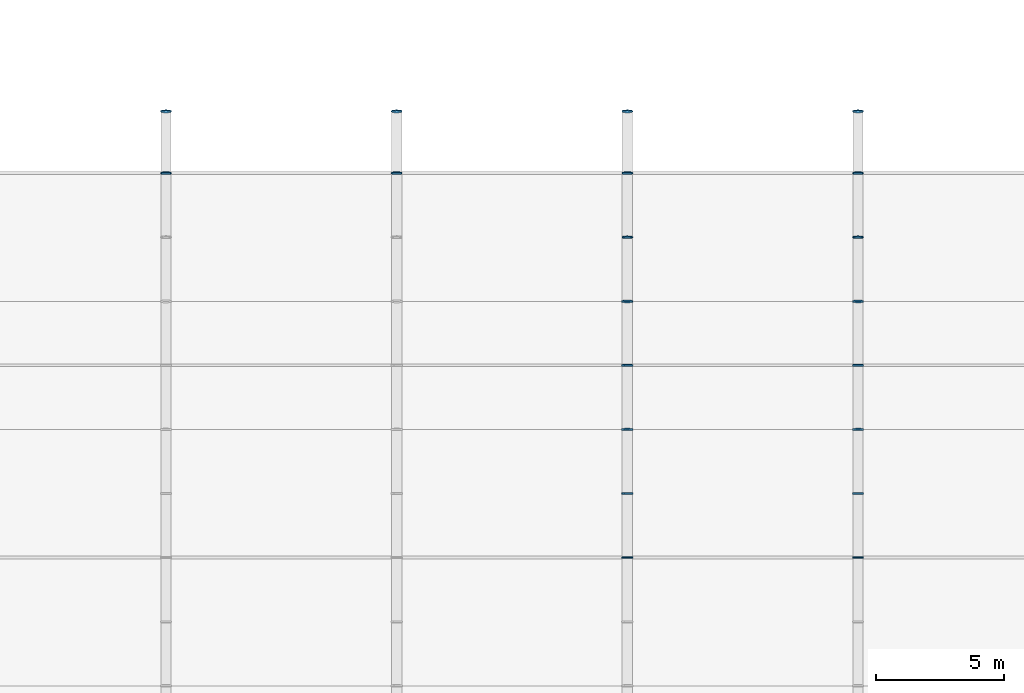
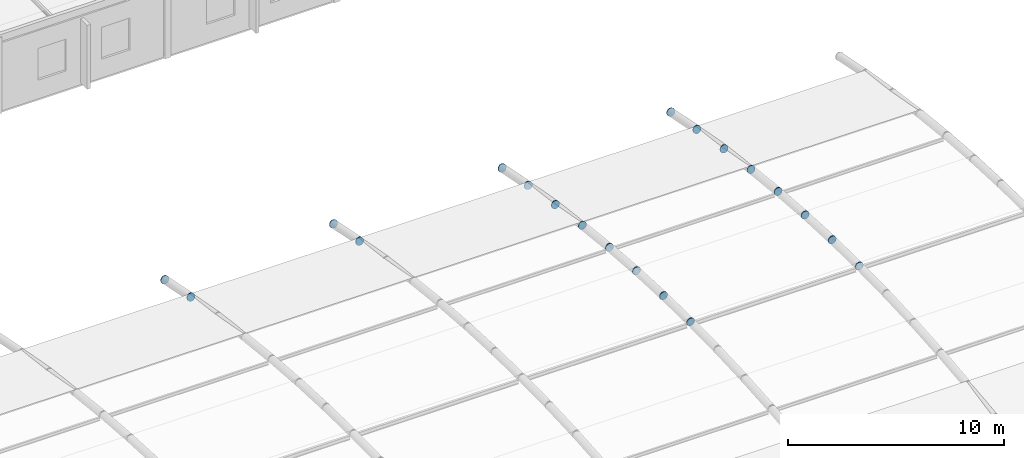
# One storey, part 70 of 105: 36 discrete accessories.
"""IFC4 building model written with IfcOpenShell, lengths in metres."""

from ifc_helpers import new_model, si_unit, direction, frame, origin, origin_2d, place, context, subcontext, project, spatial, circle, extrude, material, element, save


model = new_model("IFC4")

# Units and contexts
model_context = context("Model", 3, precision=1e-05, world=origin(), true_north=direction((0.0, 1.0)))
body_context = subcontext(model_context, "Body", "Model", "MODEL_VIEW")
ifc_project = project(units=[si_unit("LENGTHUNIT", "METRE"), si_unit("AREAUNIT", "SQUARE_METRE"), si_unit("VOLUMEUNIT", "CUBIC_METRE"), si_unit("PLANEANGLEUNIT", "RADIAN"), si_unit("MASSUNIT", "GRAM", prefix="KILO")], contexts=[model_context])

# Site, building, storey
site_placement = place(None, origin())
site = spatial("IfcSite", under=ifc_project, at=site_placement, CompositionType="ELEMENT")
building_placement = place(site_placement, origin())
building = spatial("IfcBuilding", under=site, at=building_placement, Name="Marlcrest Central Station", CompositionType="ELEMENT")
storey_placement = place(building_placement, frame((0.0, 0.0, 15.0)))
storey = spatial("IfcBuildingStorey", under=building, at=storey_placement, Name="L03", CompositionType="ELEMENT", Elevation=15.0)

# Discrete accessories
ifc_material = material(Name="Steel S355", Category="steel")
for number, where, z_axis, x_axis, name in (
    (1, (36.0, 80.975341796875, 0.407958984375), (0.0, 0.98574109921, -0.168269086076), (-1.0, 0.0, 0.0), "endcap-mem-AC-01-L03-00595-e"),
    (2, (36.0, 80.9853515625, 0.40673828125), (0.0, 0.980359417961, -0.197219196874), (-1.0, 0.0, 0.0), "endcap-mem-AC-01-L03-00599-s"),
    (3, (36.0, 83.3955078125, -0.078125), (0.0, 0.980359417961, -0.197219196874), (-1.0, 0.0, 0.0), "endcap-mem-AC-01-L03-00599-e"),
    (4, (45.0, 80.975341796875, 0.407958984375), (0.0, 0.98574109921, -0.168269086076), (-1.0, 0.0, 0.0), "endcap-mem-AC-01-L03-00711-e"),
    (5, (45.0, 80.9853515625, 0.40673828125), (0.0, 0.980359417961, -0.197219196874), (-1.0, 0.0, 0.0), "endcap-mem-AC-01-L03-00715-s"),
    (6, (45.0, 83.3955078125, -0.078125), (0.0, 0.980359417961, -0.197219196874), (-1.0, 0.0, 0.0), "endcap-mem-AC-01-L03-00715-e"),
    (7, (54.0, 65.97509765625, 1.799560546875), (0.0, 0.999879472592, 0.01552547228), (-1.0, 0.0, 0.0), "endcap-mem-AC-01-L03-00803-e"),
    (8, (54.0, 65.985107421875, 1.80029296875), (0.0, 0.999879472592, -0.01552547228), (-1.0, 0.0, 0.0), "endcap-mem-AC-01-L03-00807-s"),
    (9, (54.0, 68.47509765625, 1.76171875), (0.0, 0.999879472592, -0.01552547228), (-1.0, 0.0, 0.0), "endcap-mem-AC-01-L03-00807-e"),
    (10, (54.0, 68.485107421875, 1.761962890625), (0.0, 0.998921349185, -0.046434234591), (-1.0, 0.0, 0.0), "endcap-mem-AC-01-L03-00811-s"),
    (11, (54.0, 70.97509765625, 1.646240234375), (0.0, 0.998921349185, -0.046434234591), (-1.0, 0.0, 0.0), "endcap-mem-AC-01-L03-00811-e"),
    (12, (54.0, 70.985107421875, 1.646240234375), (0.0, 0.996999825732, -0.077403795064), (-1.0, 0.0, 0.0), "endcap-mem-AC-01-L03-00815-s"),
    (13, (54.0, 73.47509765625, 1.452880859375), (0.0, 0.996999825732, -0.077403795064), (-1.0, 0.0, 0.0), "endcap-mem-AC-01-L03-00815-e"),
    (14, (54.0, 73.485107421875, 1.45263671875), (0.0, 0.994155341034, -0.107959056565), (-1.0, 0.0, 0.0), "endcap-mem-AC-01-L03-00819-s"),
    (15, (54.0, 75.97509765625, 1.18212890625), (0.0, 0.994155341034, -0.107959056565), (-1.0, 0.0, 0.0), "endcap-mem-AC-01-L03-00819-e"),
    (16, (54.0, 75.985107421875, 1.181396484375), (0.0, 0.990402740232, -0.138211476152), (-1.0, 0.0, 0.0), "endcap-mem-AC-01-L03-00823-s"),
    (17, (54.0, 78.475341796875, 0.833984375), (0.0, 0.990402740232, -0.138211476152), (-1.0, 0.0, 0.0), "endcap-mem-AC-01-L03-00823-e"),
    (18, (54.0, 78.485107421875, 0.8330078125), (0.0, 0.98574109921, -0.168269086076), (-1.0, 0.0, 0.0), "endcap-mem-AC-01-L03-00827-s"),
    (19, (54.0, 80.975341796875, 0.407958984375), (0.0, 0.98574109921, -0.168269086076), (-1.0, 0.0, 0.0), "endcap-mem-AC-01-L03-00827-e"),
    (20, (54.0, 80.9853515625, 0.40673828125), (0.0, 0.980359417961, -0.197219196874), (-1.0, 0.0, 0.0), "endcap-mem-AC-01-L03-00831-s"),
    (21, (54.0, 83.3955078125, -0.078125), (0.0, 0.980359417961, -0.197219196874), (-1.0, 0.0, 0.0), "endcap-mem-AC-01-L03-00831-e"),
    (22, (63.0, 65.97509765625, 1.799560546875), (0.0, 0.999879472592, 0.01552547228), (-1.0, 0.0, 0.0), "endcap-mem-AC-01-L03-00919-e"),
    (23, (63.0, 65.985107421875, 1.80029296875), (0.0, 0.999879472592, -0.01552547228), (-1.0, 0.0, 0.0), "endcap-mem-AC-01-L03-00923-s"),
    (24, (63.0, 68.47509765625, 1.76171875), (0.0, 0.999879472592, -0.01552547228), (-1.0, 0.0, 0.0), "endcap-mem-AC-01-L03-00923-e"),
    (25, (63.0, 68.485107421875, 1.761962890625), (0.0, 0.998921349185, -0.046434234591), (-1.0, 0.0, 0.0), "endcap-mem-AC-01-L03-00927-s"),
    (26, (63.0, 70.97509765625, 1.646240234375), (0.0, 0.998921349185, -0.046434234591), (-1.0, 0.0, 0.0), "endcap-mem-AC-01-L03-00927-e"),
    (27, (63.0, 70.985107421875, 1.646240234375), (0.0, 0.996999825732, -0.077403795064), (-1.0, 0.0, 0.0), "endcap-mem-AC-01-L03-00931-s"),
    (28, (63.0, 73.47509765625, 1.452880859375), (0.0, 0.996999825732, -0.077403795064), (-1.0, 0.0, 0.0), "endcap-mem-AC-01-L03-00931-e"),
    (29, (63.0, 73.485107421875, 1.45263671875), (0.0, 0.994155341034, -0.107959056565), (-1.0, 0.0, 0.0), "endcap-mem-AC-01-L03-00935-s"),
    (30, (63.0, 75.97509765625, 1.18212890625), (0.0, 0.994155341034, -0.107959056565), (-1.0, 0.0, 0.0), "endcap-mem-AC-01-L03-00935-e"),
    (31, (63.0, 75.985107421875, 1.181396484375), (0.0, 0.990402740232, -0.138211476152), (-1.0, 0.0, 0.0), "endcap-mem-AC-01-L03-00939-s"),
    (32, (63.0, 78.475341796875, 0.833984375), (0.0, 0.990402740232, -0.138211476152), (-1.0, 0.0, 0.0), "endcap-mem-AC-01-L03-00939-e"),
    (33, (63.0, 78.485107421875, 0.8330078125), (0.0, 0.98574109921, -0.168269086076), (-1.0, 0.0, 0.0), "endcap-mem-AC-01-L03-00943-s"),
    (34, (63.0, 80.975341796875, 0.407958984375), (0.0, 0.98574109921, -0.168269086076), (-1.0, 0.0, 0.0), "endcap-mem-AC-01-L03-00943-e"),
    (35, (63.0, 80.9853515625, 0.40673828125), (0.0, 0.980359417961, -0.197219196874), (-1.0, 0.0, 0.0), "endcap-mem-AC-01-L03-00947-s"),
    (36, (63.0, 83.3955078125, -0.078125), (0.0, 0.980359417961, -0.197219196874), (-1.0, 0.0, 0.0), "endcap-mem-AC-01-L03-00947-e"),
):
    element("IfcDiscreteAccessory", number, at=place(storey_placement, frame(where, z_axis=z_axis, x_axis=x_axis)), inside=storey, material=ifc_material, Name=name, ObjectType="END_CAP_PLATE", PredefinedType="BRACKET", context=body_context, shape_type="SweptSolid", body=[
        extrude(circle(Radius=0.211181640625, at=origin_2d()), origin(), (0.0, 0.0, 1.0), 0.0400390625),
    ])

save(model, "model.ifc")
